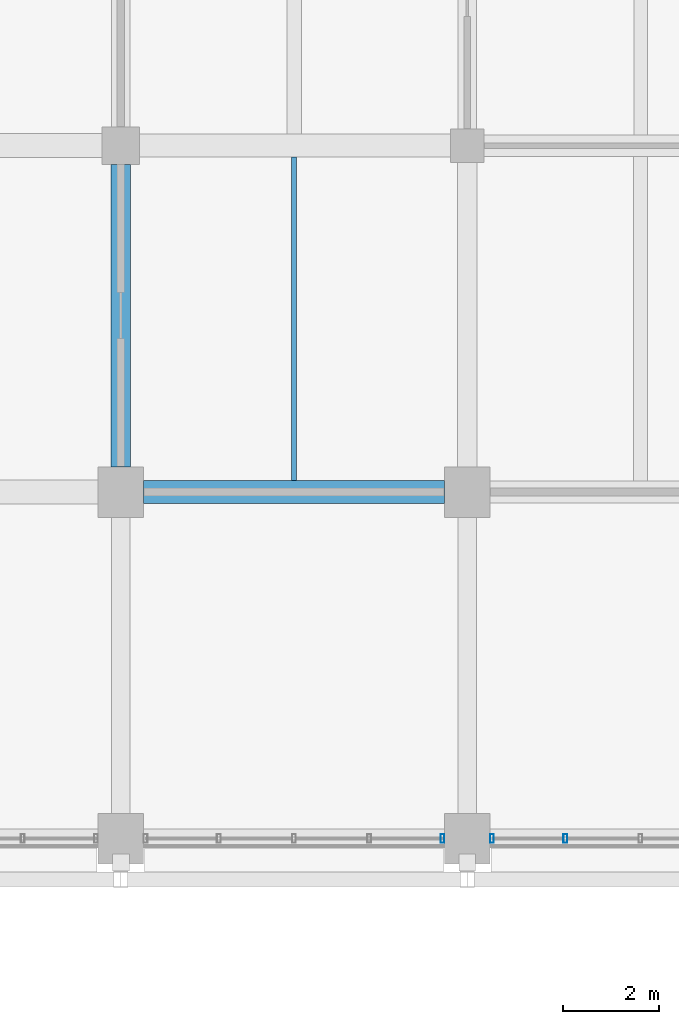
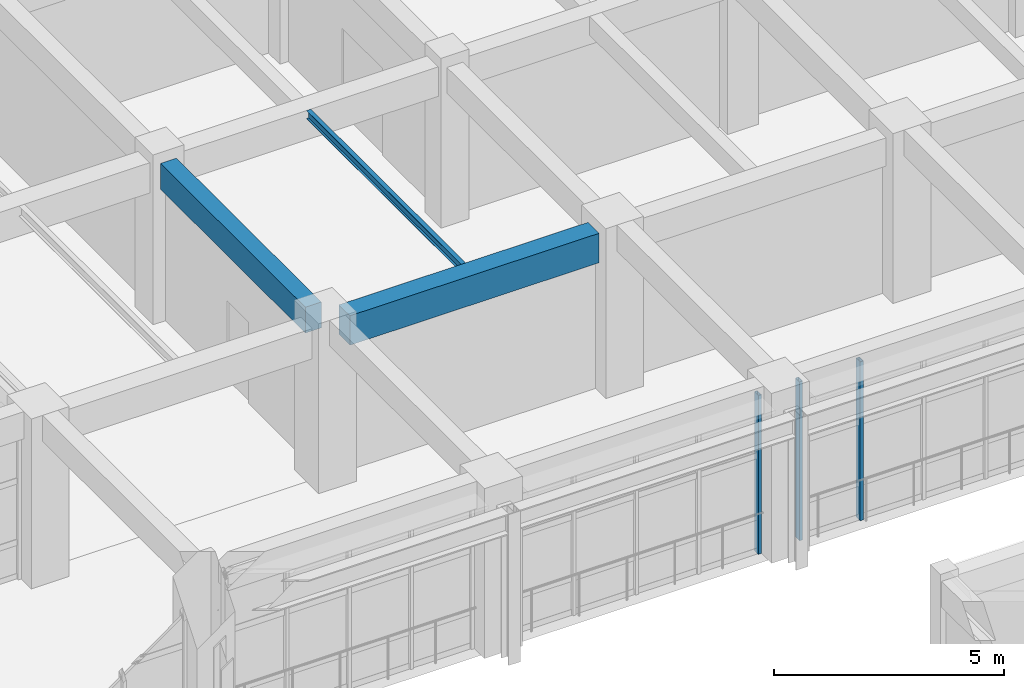
# One storey, part 98 of 171: 3 beams, 3 members, 2 elements without a shape of their own.
"""IFC4 building model written with IfcOpenShell, lengths in metres."""

from ifc_helpers import new_model, si_unit, direction, frame, origin, origin_2d, place, context, subcontext, project, spatial, rectangle, hollow_rectangle, i_section, extrude, material, material_profile, profile_set, type_object, element, aggregate, save


model = new_model("IFC4")

# Units and contexts
model_context = context("Model", 3, precision=1e-05, world=origin(), true_north=direction((0.0, 1.0)))
body_context = subcontext(model_context, "Body", "Model", "MODEL_VIEW")
ifc_project = project(units=[si_unit("LENGTHUNIT", "METRE"), si_unit("AREAUNIT", "SQUARE_METRE"), si_unit("VOLUMEUNIT", "CUBIC_METRE"), si_unit("PLANEANGLEUNIT", "RADIAN"), si_unit("MASSUNIT", "GRAM", prefix="KILO")], contexts=[model_context])

# Site, building, storey
site_placement = place(None, origin())
site = spatial("IfcSite", under=ifc_project, at=site_placement, CompositionType="ELEMENT")
building_placement = place(site_placement, origin())
building = spatial("IfcBuilding", under=site, at=building_placement, Name="Thalmaran Polytechnic", CompositionType="ELEMENT")
storey_placement = place(building_placement, frame((0.0, 0.0, 5.39990234375)))
storey = spatial("IfcBuildingStorey", under=building, at=storey_placement, Name="L01", CompositionType="ELEMENT", Elevation=5.39990234375)

# Beams
ifc_material_1 = material(Name="Steel S355", Category="steel")
ifc_material_profile_1 = material_profile(ifc_material_1, i_section(OverallWidth=0.110107421875, OverallDepth=0.219970703125, WebThickness=0.005859375, FlangeThickness=0.00927734375, at=origin_2d()), Name="IPE 220")
ifc_profile_set_1 = profile_set([ifc_material_profile_1], Name="Steel S355")
beam_type_1 = type_object("IfcBeamType", Name="BM-SJ04", PredefinedType="JOIST", material=ifc_profile_set_1)
beam_1_placement = place(storey_placement, frame((140.39990234375, 57.840087890625, 4.10009765625), z_axis=(0.0, 1.0, 0.0), x_axis=(-1.0, 0.0, 0.0)))
element("IfcBeam", 1, at=beam_1_placement, inside=storey, type_object=beam_type_1, Name="Secondary Floor Rib SJ04 L01 (19,8)", PredefinedType="JOIST", context=body_context, shape_type="SweptSolid", body=[
    extrude(i_section(OverallWidth=0.110107421875, OverallDepth=0.219970703125, WebThickness=0.005859375, FlangeThickness=0.00927734375, at=origin_2d()), origin(), (0.0, 0.0, 1.0), 6.719970703125),
])
ifc_material_2 = material(Name="Concrete C40/50", Category="concrete")
ifc_material_profile_2 = material_profile(ifc_material_2, rectangle(XDim=0.47998046875, YDim=0.780029296875, at=origin_2d()), Name="RC 480x780")
ifc_profile_set_2 = profile_set([ifc_material_profile_2], Name="Concrete C40/50")
beam_type_2 = type_object("IfcBeamType", Name="BM-ZB01", PredefinedType="BEAM", material=ifc_profile_set_2)
beam_2_placement = place(storey_placement, frame((137.27490234375, 57.60009765625, 3.820068359375), z_axis=(1.0, 0.0, 0.0), x_axis=(0.0, 1.0, 0.0)))
element("IfcBeam", 2, at=beam_2_placement, inside=storey, type_object=beam_type_2, Name="Grid Beam ZB01 L01 X(19,8)", PredefinedType="BEAM", context=body_context, shape_type="SweptSolid", body=[
    extrude(rectangle(XDim=0.47998046875, YDim=0.780029296875, at=origin_2d()), origin(), (0.0, 0.0, 1.0), 6.25),
])
ifc_material_profile_3 = material_profile(ifc_material_2, rectangle(XDim=0.39990234375, YDim=0.68505859375, at=origin_2d()), Name="RC 400x685")
ifc_profile_set_3 = profile_set([ifc_material_profile_3], Name="Concrete C40/50")
beam_type_3 = type_object("IfcBeamType", Name="BM-ZB07", PredefinedType="BEAM", material=ifc_profile_set_3)
beam_3_placement = place(storey_placement, frame((136.800048828125, 58.125, 3.86767578125), z_axis=(0.0, 1.0, 0.0), x_axis=(-1.0, 0.0, 0.0)))
element("IfcBeam", 3, at=beam_3_placement, inside=storey, type_object=beam_type_3, Name="Grid Beam ZB07 L01 Y(19,8)", PredefinedType="BEAM", context=body_context, shape_type="SweptSolid", body=[
    extrude(rectangle(XDim=0.39990234375, YDim=0.68505859375, at=origin_2d()), origin(), (0.0, 0.0, 1.0), 6.284912109375),
])

# Curtain wall, members
ifc_material_3 = material(Name="Aluminium 6063-T6", Category="aluminium")
curtain_wall_type = type_object("IfcCurtainWallType", Name="CW-UC02", PredefinedType="USERDEFINED", material=ifc_material_3)
curtain_wall_1_placement = place(storey_placement, origin())
curtain_wall_1 = element("IfcCurtainWall", 4, at=curtain_wall_1_placement, inside=storey, type_object=curtain_wall_type, Name="Curtain Wall CW-L01-126", ObjectType="UNITISED CURTAIN WALL", PredefinedType="USERDEFINED")
ifc_material_profile_4 = material_profile(ifc_material_3, hollow_rectangle(XDim=0.080078125, YDim=0.179931640625, WallThickness=0.0048828125, at=origin_2d()), Name="RHS 180x80x5.0")
ifc_profile_set_4 = profile_set([ifc_material_profile_4], Name="Aluminium 6063-T6")
member_type = type_object("IfcMemberType", Name="CW-MUL1", PredefinedType="MULLION", material=ifc_profile_set_4)
member_1_placement = place(storey_placement, frame((146.03759765625, 50.39990234375, 0.0), z_axis=(0.0, 0.0, 1.0), x_axis=(1.0, 0.0, 0.0)))
member_1 = element("IfcMember", 5, at=member_1_placement, type_object=member_type, Name="CW-L01-126 Mullion 4", PredefinedType="MULLION", context=body_context, shape_type="SweptSolid", body=[
    extrude(hollow_rectangle(XDim=0.080078125, YDim=0.179931640625, WallThickness=0.0048828125, at=origin_2d()), origin(), (0.0, 0.0, 1.0), 4.210205078125),
])
member_2_placement = place(storey_placement, frame((144.514892578125, 50.39990234375, 0.0), z_axis=(0.0, 0.0, 1.0), x_axis=(1.0, 0.0, 0.0)))
member_2 = element("IfcMember", 6, at=member_2_placement, type_object=member_type, Name="CW-L01-126 Mullion 5", PredefinedType="MULLION", context=body_context, shape_type="SweptSolid", body=[
    extrude(hollow_rectangle(XDim=0.080078125, YDim=0.179931640625, WallThickness=0.0048828125, at=origin_2d()), origin(), (0.0, 0.0, 1.0), 4.210205078125),
])
aggregate(curtain_wall_1, [member_1, member_2])

# Curtain wall, member
curtain_wall_2_placement = place(storey_placement, origin())
curtain_wall_2 = element("IfcCurtainWall", 7, at=curtain_wall_2_placement, inside=storey, type_object=curtain_wall_type, Name="Curtain Wall CW-L01-127", ObjectType="UNITISED CURTAIN WALL", PredefinedType="USERDEFINED")
member_3_placement = place(storey_placement, frame((143.485107421875, 50.39990234375, 0.0), z_axis=(0.0, 0.0, 1.0), x_axis=(1.0, 0.0, 0.0)))
member_3 = element("IfcMember", 8, at=member_3_placement, type_object=member_type, Name="CW-L01-127 Mullion 1", PredefinedType="MULLION", context=body_context, shape_type="SweptSolid", body=[
    extrude(hollow_rectangle(XDim=0.080078125, YDim=0.179931640625, WallThickness=0.0048828125, at=origin_2d()), origin(), (0.0, 0.0, 1.0), 4.210205078125),
])
aggregate(curtain_wall_2, [member_3])

save(model, "model.ifc")
